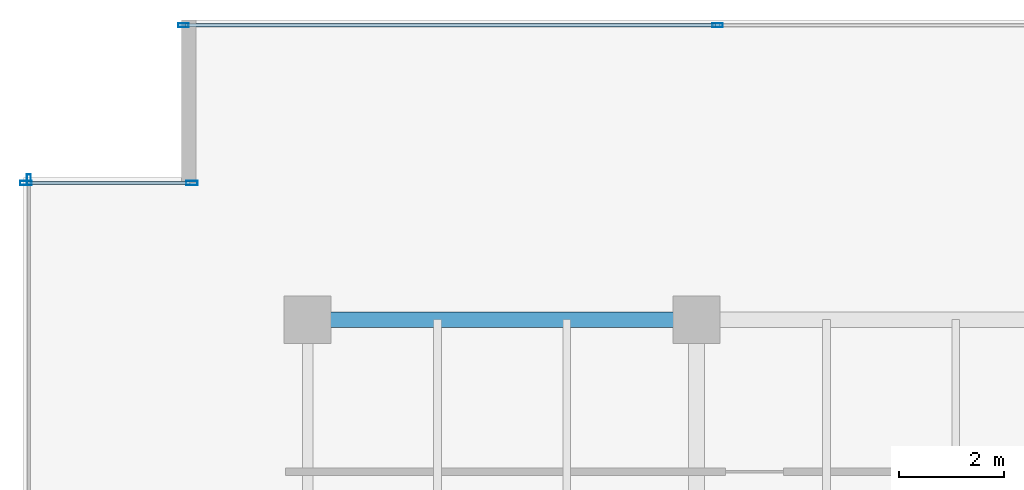
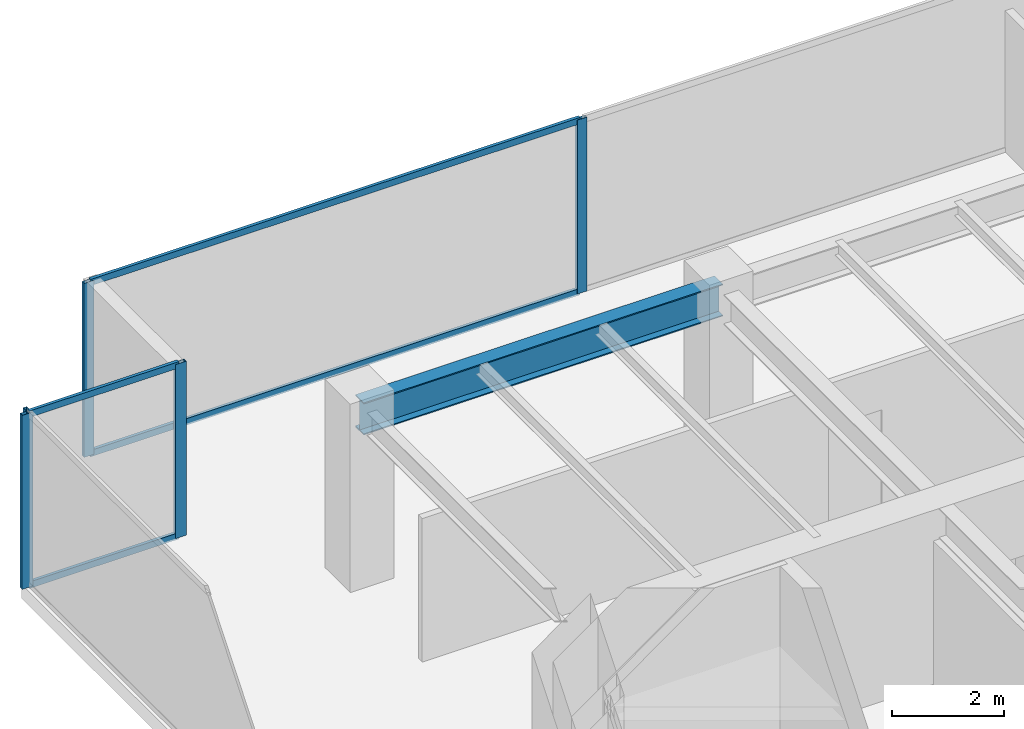
# One storey, part 14 of 30: 9 members, 1 beam, 3 elements without a shape of their own.
"""IFC4 building model written with IfcOpenShell, lengths in metres."""

from ifc_helpers import new_model, si_unit, direction, frame, origin, origin_2d, place, context, subcontext, project, spatial, hollow_rectangle, i_section, extrude, source, transform, mapped, material, layer, layer_set, material_profile, profile_set, type_object, type_shapes, element, aggregate, save


model = new_model("IFC4")

# Units and contexts
model_context = context("Model", 3, precision=1e-05, world=origin(), true_north=direction((0.0, 1.0)))
body_context = subcontext(model_context, "Body", "Model", "MODEL_VIEW")
ifc_project = project(units=[si_unit("LENGTHUNIT", "METRE"), si_unit("AREAUNIT", "SQUARE_METRE"), si_unit("VOLUMEUNIT", "CUBIC_METRE"), si_unit("PLANEANGLEUNIT", "RADIAN"), si_unit("MASSUNIT", "GRAM", prefix="KILO")], contexts=[model_context])

# Site, building, storey
site_placement = place(None, origin())
site = spatial("IfcSite", under=ifc_project, at=site_placement, CompositionType="ELEMENT")
building_placement = place(site_placement, origin())
building = spatial("IfcBuilding", under=site, at=building_placement, Name="Haelvirn Gate Laboratories", CompositionType="ELEMENT")
storey_placement = place(building_placement, frame((0.0, 0.0, 125.60009765625)))
storey = spatial("IfcBuildingStorey", under=building, at=storey_placement, Name="L30", CompositionType="ELEMENT", Elevation=125.60009765625)

# Beam
ifc_material_1 = material(Name="Steel SM355", Category="steel")
ifc_material_profile_1 = material_profile(ifc_material_1, i_section(OverallWidth=0.300048828125, OverallDepth=0.699951171875, WebThickness=0.012939453125, FlangeThickness=0.02392578125, at=origin_2d()), Name="H-700x300x13x24")
ifc_profile_set_1 = profile_set([ifc_material_profile_1], Name="Steel SM355")
beam_type = type_object("IfcBeamType", Name="BM-G-700", PredefinedType="BEAM", material=ifc_profile_set_1)
shared_shape_1 = source(origin(), body_context, "Body", "SweptSolid", [
    extrude(i_section(OverallWidth=0.300048828125, OverallDepth=0.699951171875, WebThickness=0.012939453125, FlangeThickness=0.02392578125, at=origin_2d()), origin(), (0.0, 0.0, 1.0), 7.400146484375),
])
type_shapes(beam_type, [shared_shape_1])
beam_placement = place(storey_placement, frame((7.39990234375, 41.60009765625, 3.43994140625), z_axis=(1.0, 0.0, 0.0), x_axis=(0.0, 1.0, 0.0)))
element("IfcBeam", 1, at=beam_placement, inside=storey, type_object=beam_type, Name="L30 Primary Girder Y41.6 (7.4-14.8)", PredefinedType="BEAM", context=body_context, shape_type="MappedRepresentation", body=[
    mapped(shared_shape_1, transform((0.0, 0.0, 0.0), scale=1.0)),
])

# Curtain wall, members
ifc_material_2 = material(Name="Anodised bronze unitised aluminium & triple low-E glass", Category="aluminium")
ifc_layer_1 = layer(ifc_material_2, 0.179931640625, Name="CW-SYS-3")
ifc_layer_set_1 = layer_set([ifc_layer_1], Name="Anodised bronze unitised aluminium & triple low-E glass")
curtain_wall_type_1 = type_object("IfcCurtainWallType", Name="CW-SYS-3", PredefinedType="NOTDEFINED", material=ifc_layer_set_1)
curtain_wall_1_placement = place(storey_placement, origin())
curtain_wall_1 = element("IfcCurtainWall", 2, at=curtain_wall_1_placement, inside=storey, type_object=curtain_wall_type_1, Name="L30 Unitised Curtain Wall CW-L30-P0-E14-1", PredefinedType="NOTDEFINED")
ifc_material_3 = material(Name="Extruded aluminium 6063-T6 (anodised bronze)", Category="aluminium")
ifc_material_profile_2 = material_profile(ifc_material_3, hollow_rectangle(XDim=0.06494140625, YDim=0.139892578125, WallThickness=0.00390625, at=origin_2d()), Name="CWT-140x65x4")
ifc_profile_set_2 = profile_set([ifc_material_profile_2], Name="Extruded aluminium 6063-T6 (anodised bronze)")
member_type_1 = type_object("IfcMemberType", Name="CWT-T140", PredefinedType="USERDEFINED", material=ifc_profile_set_2)
shared_shape_2 = source(origin(), body_context, "Body", "SweptSolid", [
    extrude(hollow_rectangle(XDim=0.06494140625, YDim=0.139892578125, WallThickness=0.00390625, at=origin_2d()), origin(), (0.0, 0.0, 1.0), 10.087646484375),
])
member_1_placement = place(storey_placement, frame((5.074951171875, 47.199951171875, 0.032470703125), z_axis=(1.0, 0.0, 0.0), x_axis=(0.0, 1.0, 0.0)))
member_1 = element("IfcMember", 3, at=member_1_placement, type_object=member_type_1, Name="CW3 transom 1.1", ObjectType="TRANSOM", PredefinedType="USERDEFINED", context=body_context, shape_type="MappedRepresentation", body=[
    mapped(shared_shape_2, transform((0.0, 0.0, 0.0), scale=1.0)),
])
member_2_placement = place(storey_placement, frame((5.074951171875, 47.199951171875, 3.75732421875), z_axis=(1.0, 0.0, 0.0), x_axis=(0.0, 1.0, 0.0)))
member_2 = element("IfcMember", 4, at=member_2_placement, type_object=member_type_1, Name="CW3 transom 1.2", ObjectType="TRANSOM", PredefinedType="USERDEFINED", context=body_context, shape_type="MappedRepresentation", body=[
    mapped(shared_shape_2, transform((0.0, 0.0, 0.0), scale=1.0)),
])

ifc_layer_2 = layer(ifc_material_2, 0.181884765625, Name="CW-SYS-5")
ifc_layer_set_2 = layer_set([ifc_layer_2], Name="Anodised bronze unitised aluminium & triple low-E glass")
curtain_wall_type_2 = type_object("IfcCurtainWallType", Name="CW-SYS-5", PredefinedType="NOTDEFINED", material=ifc_layer_set_2)
curtain_wall_2_placement = place(storey_placement, origin())
curtain_wall_2 = element("IfcCurtainWall", 5, at=curtain_wall_2_placement, inside=storey, type_object=curtain_wall_type_2, Name="L30 Unitised Curtain Wall CW-L30-P0-E16-1", PredefinedType="NOTDEFINED")
shared_shape_3 = source(origin(), body_context, "Body", "SweptSolid", [
    extrude(hollow_rectangle(XDim=0.06494140625, YDim=0.139892578125, WallThickness=0.00390625, at=origin_2d()), origin(), (0.0, 0.0, 1.0), 3.079833984375),
])
type_shapes(member_type_1, [shared_shape_2, shared_shape_3])
member_3_placement = place(storey_placement, frame((2.080078125, 44.199951171875, 0.032470703125), z_axis=(1.0, 0.0, 0.0), x_axis=(0.0, 1.0, 0.0)))
member_3 = element("IfcMember", 6, at=member_3_placement, type_object=member_type_1, Name="CW5 transom 1.1", ObjectType="TRANSOM", PredefinedType="USERDEFINED", context=body_context, shape_type="MappedRepresentation", body=[
    mapped(shared_shape_3, transform((0.0, 0.0, 0.0), scale=1.0)),
])
member_4_placement = place(storey_placement, frame((2.080078125, 44.199951171875, 3.75732421875), z_axis=(1.0, 0.0, 0.0), x_axis=(0.0, 1.0, 0.0)))
member_4 = element("IfcMember", 7, at=member_4_placement, type_object=member_type_1, Name="CW5 transom 1.2", ObjectType="TRANSOM", PredefinedType="USERDEFINED", context=body_context, shape_type="MappedRepresentation", body=[
    mapped(shared_shape_3, transform((0.0, 0.0, 0.0), scale=1.0)),
])

# Member
ifc_material_profile_3 = material_profile(ifc_material_3, hollow_rectangle(XDim=0.074951171875, YDim=0.199951171875, WallThickness=0.0048828125, at=origin_2d()), Name="CWM-200x75x5")
ifc_profile_set_3 = profile_set([ifc_material_profile_3], Name="Extruded aluminium 6063-T6 (anodised bronze)")
member_type_2 = type_object("IfcMemberType", Name="CWM-T200", PredefinedType="MULLION", material=ifc_profile_set_3)
shared_shape_4 = source(origin(), body_context, "Body", "SweptSolid", [
    extrude(hollow_rectangle(XDim=0.074951171875, YDim=0.199951171875, WallThickness=0.0048828125, at=origin_2d()), origin(), (0.0, 0.0, 1.0), 3.789794921875),
])
type_shapes(member_type_2, [shared_shape_4])
member_5_placement = place(storey_placement, frame((5.03759765625, 47.199951171875, 0.0), z_axis=(0.0, 0.0, 1.0), x_axis=(0.0, 1.0, 0.0)))
member_5 = element("IfcMember", 8, at=member_5_placement, type_object=member_type_2, Name="CW3 mullion 1", PredefinedType="MULLION", context=body_context, shape_type="MappedRepresentation", body=[
    mapped(shared_shape_4, transform((0.0, 0.0, 0.0), scale=1.0)),
])

member_6_placement = place(storey_placement, frame((15.199951171875, 47.199951171875, 0.0), z_axis=(0.0, 0.0, 1.0), x_axis=(0.0, 1.0, 0.0)))
member_6 = element("IfcMember", 9, at=member_6_placement, type_object=member_type_2, Name="CW3 mullion 2", PredefinedType="MULLION", context=body_context, shape_type="MappedRepresentation", body=[
    mapped(shared_shape_4, transform((0.0, 0.0, 0.0), scale=1.0)),
])

aggregate(curtain_wall_1, [member_5, member_6, member_1, member_2])

# Curtain wall, member
curtain_wall_3_placement = place(storey_placement, origin())
curtain_wall_3 = element("IfcCurtainWall", 10, at=curtain_wall_3_placement, inside=storey, type_object=curtain_wall_type_1, Name="L30 Unitised Curtain Wall CW-L30-P0-E17", PredefinedType="NOTDEFINED")
member_7_placement = place(storey_placement, frame((2.10009765625, 44.262451171875, 0.0), z_axis=(0.0, 0.0, 1.0), x_axis=(1.0, 0.0, 0.0)))
member_7 = element("IfcMember", 11, at=member_7_placement, type_object=member_type_2, Name="CW3 mullion 1", PredefinedType="MULLION", context=body_context, shape_type="MappedRepresentation", body=[
    mapped(shared_shape_4, transform((0.0, 0.0, 0.0), scale=1.0)),
])
aggregate(curtain_wall_3, [member_7])

# Member
ifc_material_profile_4 = material_profile(ifc_material_3, hollow_rectangle(XDim=0.080078125, YDim=0.219970703125, WallThickness=0.006103515625, at=origin_2d()), Name="CWM-220x80x6")
ifc_profile_set_4 = profile_set([ifc_material_profile_4], Name="Extruded aluminium 6063-T6 (anodised bronze)")
member_type_3 = type_object("IfcMemberType", Name="CWM-T220", PredefinedType="MULLION", material=ifc_profile_set_4)
shared_shape_5 = source(origin(), body_context, "Body", "SweptSolid", [
    extrude(hollow_rectangle(XDim=0.080078125, YDim=0.219970703125, WallThickness=0.006103515625, at=origin_2d()), origin(), (0.0, 0.0, 1.0), 3.789794921875),
])
type_shapes(member_type_3, [shared_shape_5])
member_8_placement = place(storey_placement, frame((2.0400390625, 44.199951171875, 0.0), z_axis=(0.0, 0.0, 1.0), x_axis=(0.0, 1.0, 0.0)))
member_8 = element("IfcMember", 12, at=member_8_placement, type_object=member_type_3, Name="CW5 mullion 1", PredefinedType="MULLION", context=body_context, shape_type="MappedRepresentation", body=[
    mapped(shared_shape_5, transform((0.0, 0.0, 0.0), scale=1.0)),
])

member_9_placement = place(storey_placement, frame((5.199951171875, 44.199951171875, 0.0), z_axis=(0.0, 0.0, 1.0), x_axis=(0.0, 1.0, 0.0)))
member_9 = element("IfcMember", 13, at=member_9_placement, type_object=member_type_3, Name="CW5 mullion 2", PredefinedType="MULLION", context=body_context, shape_type="MappedRepresentation", body=[
    mapped(shared_shape_5, transform((0.0, 0.0, 0.0), scale=1.0)),
])

aggregate(curtain_wall_2, [member_8, member_9, member_3, member_4])

save(model, "model.ifc")
